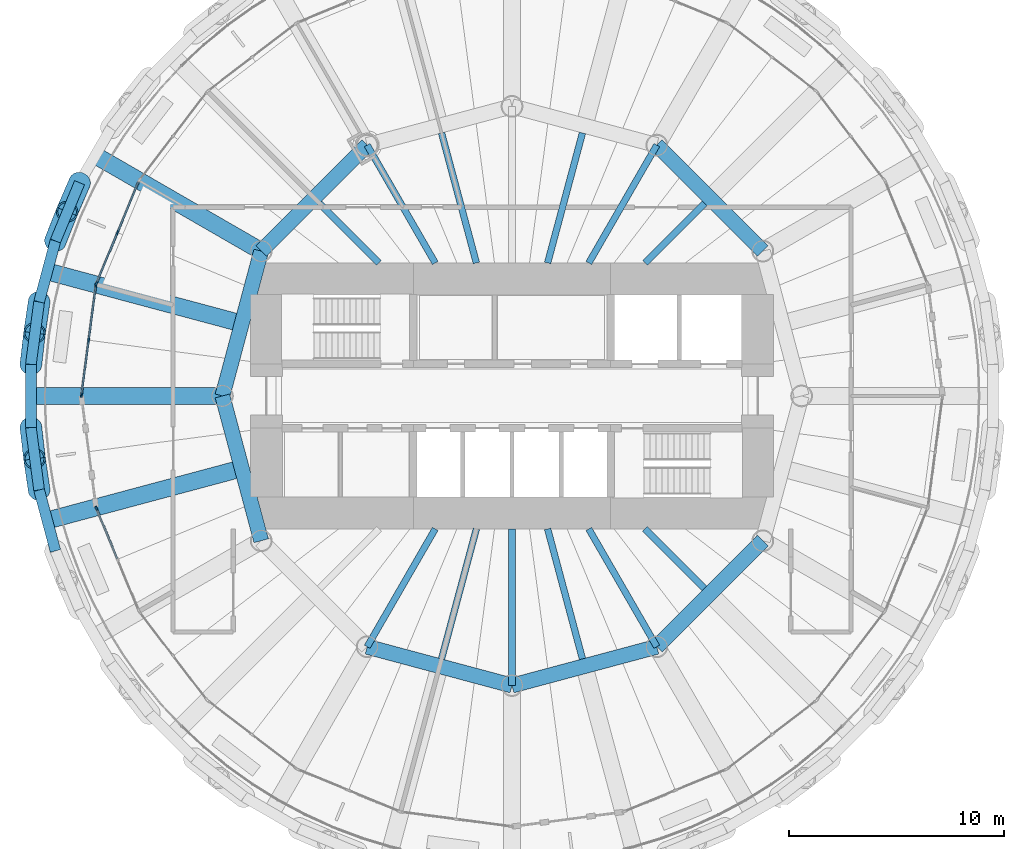
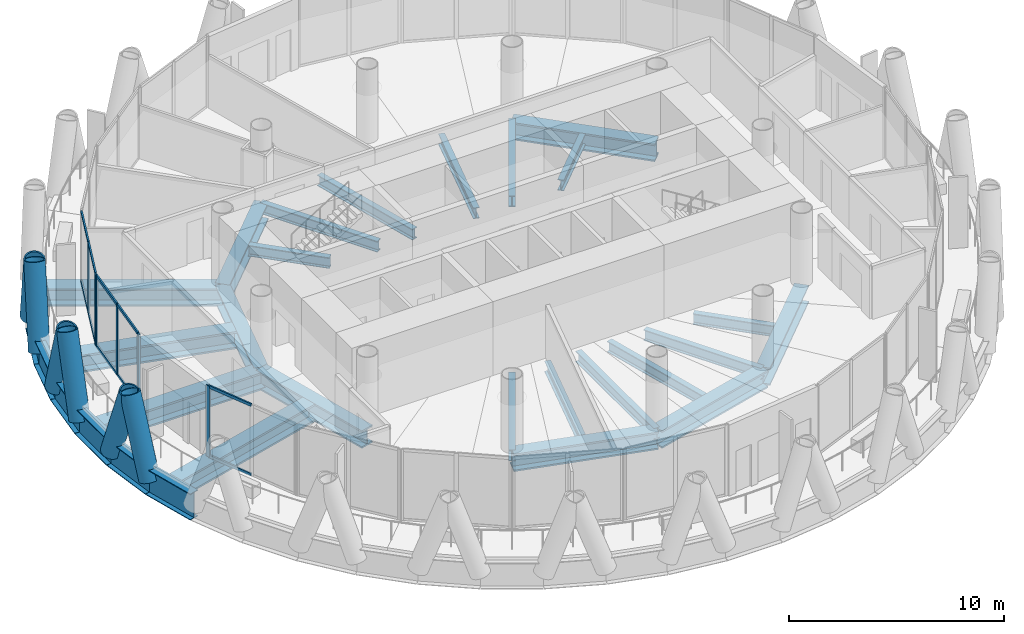
# One storey, part 3 of 15: 29 beams, 22 members, 3 elements without a shape of their own.
"""IFC4 building model written with IfcOpenShell, lengths in metres."""

from ifc_helpers import new_model, si_unit, direction, frame, origin, origin_2d, place, context, subcontext, project, spatial, rectangle, hollow_circle, i_section, extrude, material, material_profile, profile_set, type_object, element, aggregate, save


model = new_model("IFC4")

# Units and contexts
model_context = context("Model", 3, precision=1e-05, world=origin(), true_north=direction((0.0, 1.0)))
body_context = subcontext(model_context, "Body", "Model", "MODEL_VIEW")
ifc_project = project(units=[si_unit("LENGTHUNIT", "METRE"), si_unit("AREAUNIT", "SQUARE_METRE"), si_unit("VOLUMEUNIT", "CUBIC_METRE"), si_unit("PLANEANGLEUNIT", "RADIAN"), si_unit("MASSUNIT", "GRAM", prefix="KILO")], contexts=[model_context])

# Site, building, storey
site_placement = place(None, origin())
site = spatial("IfcSite", under=ifc_project, at=site_placement, CompositionType="ELEMENT")
building_placement = place(site_placement, origin())
building = spatial("IfcBuilding", under=site, at=building_placement, Name="Qaws Media Tower", CompositionType="ELEMENT")
storey_placement = place(building_placement, frame((0.0, 0.0, 231.800048828125)))
storey = spatial("IfcBuildingStorey", under=building, at=storey_placement, Name="L53", CompositionType="ELEMENT", Elevation=231.800048828125)

# Curtain wall, members
ifc_material_1 = material(Name="Aluminium and clear glass", Category="aluminium")
curtain_wall_type = type_object("IfcCurtainWallType", Name="Unitised curtain wall CW-C", PredefinedType="NOTDEFINED", material=ifc_material_1)
curtain_wall_1_placement = place(storey_placement, origin())
curtain_wall_1 = element("IfcCurtainWall", 1, at=curtain_wall_1_placement, inside=storey, type_object=curtain_wall_type, Name="CWC curtain wall L53-11", PredefinedType="NOTDEFINED")
ifc_material_2 = material(Name="Aluminium mullion", Category="aluminium")
ifc_material_profile_1 = material_profile(ifc_material_2, rectangle(XDim=0.080078125, YDim=0.199951171875, at=origin_2d()), Name="80x200")
ifc_profile_set_1 = profile_set([ifc_material_profile_1], Name="Aluminium mullion")
member_type_1 = type_object("IfcMemberType", Name="Curtain wall mullion 80x200", PredefinedType="MULLION", material=ifc_profile_set_1)
member_1_placement = place(storey_placement, frame((41.61181640625, 57.61669921875, 0.0), z_axis=(0.0, 0.0, 1.0), x_axis=(0.923879540513, -0.382683413048, 0.0)))
member_1 = element("IfcMember", 2, at=member_1_placement, type_object=member_type_1, Name="CWC mullion 2", PredefinedType="MULLION", context=body_context, shape_type="SweptSolid", body=[
    extrude(rectangle(XDim=0.080078125, YDim=0.199951171875, at=origin_2d()), origin(), (0.0, 0.0, 1.0), 4.0400390625),
])
member_2_placement = place(storey_placement, frame((40.624267578125, 55.232666015625, 0.0), z_axis=(0.0, 0.0, 1.0), x_axis=(0.923879540513, -0.382683413048, 0.0)))
member_2 = element("IfcMember", 3, at=member_2_placement, type_object=member_type_1, Name="CWC mullion 3", PredefinedType="MULLION", context=body_context, shape_type="SweptSolid", body=[
    extrude(rectangle(XDim=0.080078125, YDim=0.199951171875, at=origin_2d()), origin(), (0.0, 0.0, 1.0), 4.0400390625),
])

curtain_wall_2_placement = place(storey_placement, origin())
curtain_wall_2 = element("IfcCurtainWall", 4, at=curtain_wall_2_placement, inside=storey, type_object=curtain_wall_type, Name="CWC curtain wall L53-12", PredefinedType="NOTDEFINED")
member_3_placement = place(storey_placement, frame((40.603759765625, 55.15625, 0.0), z_axis=(0.0, 0.0, 1.0), x_axis=(0.991444861219, -0.130526193397, 0.0)))
member_3 = element("IfcMember", 5, at=member_3_placement, type_object=member_type_1, Name="CWC mullion 1", PredefinedType="MULLION", context=body_context, shape_type="SweptSolid", body=[
    extrude(rectangle(XDim=0.080078125, YDim=0.199951171875, at=origin_2d()), origin(), (0.0, 0.0, 1.0), 4.0400390625),
])
member_4_placement = place(storey_placement, frame((40.26708984375, 52.597900390625, 0.0), z_axis=(0.0, 0.0, 1.0), x_axis=(0.991444861219, -0.130526193397, 0.0)))
member_4 = element("IfcMember", 6, at=member_4_placement, type_object=member_type_1, Name="CWC mullion 2", PredefinedType="MULLION", context=body_context, shape_type="SweptSolid", body=[
    extrude(rectangle(XDim=0.080078125, YDim=0.199951171875, at=origin_2d()), origin(), (0.0, 0.0, 1.0), 4.0400390625),
])
member_5_placement = place(storey_placement, frame((39.93017578125, 50.03955078125, 0.0), z_axis=(0.0, 0.0, 1.0), x_axis=(0.991444861219, -0.130526193397, 0.0)))
member_5 = element("IfcMember", 7, at=member_5_placement, type_object=member_type_1, Name="CWC mullion 3", PredefinedType="MULLION", context=body_context, shape_type="SweptSolid", body=[
    extrude(rectangle(XDim=0.080078125, YDim=0.199951171875, at=origin_2d()), origin(), (0.0, 0.0, 1.0), 4.0400390625),
])

# Curtain wall, member
curtain_wall_3_placement = place(storey_placement, origin())
curtain_wall_3 = element("IfcCurtainWall", 8, at=curtain_wall_3_placement, inside=storey, type_object=curtain_wall_type, Name="CWC curtain wall L53-14", PredefinedType="NOTDEFINED")
member_6_placement = place(storey_placement, frame((40.624267578125, 44.767333984375, 0.0), z_axis=(0.0, 0.0, 1.0), x_axis=(0.923879540513, 0.382683413048, 0.0)))
member_6 = element("IfcMember", 9, at=member_6_placement, type_object=member_type_1, Name="CWC mullion 1", PredefinedType="MULLION", context=body_context, shape_type="SweptSolid", body=[
    extrude(rectangle(XDim=0.080078125, YDim=0.199951171875, at=origin_2d()), origin(), (0.0, 0.0, 1.0), 4.0400390625),
])

# Member
ifc_material_3 = material(Name="Aluminium transom", Category="aluminium")
ifc_material_profile_2 = material_profile(ifc_material_3, rectangle(XDim=0.080078125, YDim=0.159912109375, at=origin_2d()), Name="80x160")
ifc_profile_set_2 = profile_set([ifc_material_profile_2], Name="Aluminium transom")
member_type_2 = type_object("IfcMemberType", Name="Curtain wall transom 80x160", PredefinedType="USERDEFINED", material=ifc_profile_set_2)
member_7_placement = place(storey_placement, frame((42.583984375, 59.963623046875, 0.0400390625), z_axis=(-0.382659368921, -0.923889499549, 0.0), x_axis=(0.923889499549, -0.382659368921, 0.0)))
member_7 = element("IfcMember", 10, at=member_7_placement, type_object=member_type_2, Name="CWC transom 1.1", ObjectType="TRANSOM", PredefinedType="USERDEFINED", context=body_context, shape_type="SweptSolid", body=[
    extrude(rectangle(XDim=0.080078125, YDim=0.159912109375, at=origin_2d()), origin(), (0.0, 0.0, 1.0), 2.500244140625),
])

member_8_placement = place(storey_placement, frame((42.583984375, 59.963623046875, 4.0), z_axis=(-0.382659368921, -0.923889499549, 0.0), x_axis=(0.923889499549, -0.382659368921, 0.0)))
member_8 = element("IfcMember", 11, at=member_8_placement, type_object=member_type_2, Name="CWC transom 1.2", ObjectType="TRANSOM", PredefinedType="USERDEFINED", context=body_context, shape_type="SweptSolid", body=[
    extrude(rectangle(XDim=0.080078125, YDim=0.159912109375, at=origin_2d()), origin(), (0.0, 0.0, 1.0), 2.500244140625),
])

member_9_placement = place(storey_placement, frame((41.596435546875, 57.57958984375, 0.0400390625), z_axis=(-0.382693891664, -0.923875200059, 0.0), x_axis=(0.923875200059, -0.382693891664, 0.0)))
member_9 = element("IfcMember", 12, at=member_9_placement, type_object=member_type_2, Name="CWC transom 2.1", ObjectType="TRANSOM", PredefinedType="USERDEFINED", context=body_context, shape_type="SweptSolid", body=[
    extrude(rectangle(XDim=0.080078125, YDim=0.159912109375, at=origin_2d()), origin(), (0.0, 0.0, 1.0), 2.500244140625),
])

member_10_placement = place(storey_placement, frame((41.596435546875, 57.57958984375, 4.0), z_axis=(-0.382693891664, -0.923875200059, 0.0), x_axis=(0.923875200059, -0.382693891664, 0.0)))
member_10 = element("IfcMember", 13, at=member_10_placement, type_object=member_type_2, Name="CWC transom 2.2", ObjectType="TRANSOM", PredefinedType="USERDEFINED", context=body_context, shape_type="SweptSolid", body=[
    extrude(rectangle(XDim=0.080078125, YDim=0.159912109375, at=origin_2d()), origin(), (0.0, 0.0, 1.0), 2.500244140625),
])

aggregate(curtain_wall_1, [member_1, member_2, member_7, member_8, member_9, member_10])

member_11_placement = place(storey_placement, frame((40.5986328125, 55.116455078125, 0.0400390625), z_axis=(-0.130545439386, -0.991442327246, 0.0), x_axis=(0.991442327246, -0.130545439386, 0.0)))
member_11 = element("IfcMember", 14, at=member_11_placement, type_object=member_type_2, Name="CWC transom 1.1", ObjectType="TRANSOM", PredefinedType="USERDEFINED", context=body_context, shape_type="SweptSolid", body=[
    extrude(rectangle(XDim=0.080078125, YDim=0.159912109375, at=origin_2d()), origin(), (0.0, 0.0, 1.0), 2.50048828125),
])

member_12_placement = place(storey_placement, frame((40.5986328125, 55.116455078125, 4.0), z_axis=(-0.130545439386, -0.991442327246, 0.0), x_axis=(0.991442327246, -0.130545439386, 0.0)))
member_12 = element("IfcMember", 15, at=member_12_placement, type_object=member_type_2, Name="CWC transom 1.2", ObjectType="TRANSOM", PredefinedType="USERDEFINED", context=body_context, shape_type="SweptSolid", body=[
    extrude(rectangle(XDim=0.080078125, YDim=0.159912109375, at=origin_2d()), origin(), (0.0, 0.0, 1.0), 2.50048828125),
])

member_13_placement = place(storey_placement, frame((40.26171875, 52.558349609375, 0.0400390625), z_axis=(-0.130449460985, -0.991454960212, 0.0), x_axis=(0.991454960212, -0.130449460985, 0.0)))
member_13 = element("IfcMember", 16, at=member_13_placement, type_object=member_type_2, Name="CWC transom 2.1", ObjectType="TRANSOM", PredefinedType="USERDEFINED", context=body_context, shape_type="SweptSolid", body=[
    extrude(rectangle(XDim=0.080078125, YDim=0.159912109375, at=origin_2d()), origin(), (0.0, 0.0, 1.0), 2.50048828125),
])

member_14_placement = place(storey_placement, frame((40.26171875, 52.558349609375, 4.0), z_axis=(-0.130449460985, -0.991454960212, 0.0), x_axis=(0.991454960212, -0.130449460985, 0.0)))
member_14 = element("IfcMember", 17, at=member_14_placement, type_object=member_type_2, Name="CWC transom 2.2", ObjectType="TRANSOM", PredefinedType="USERDEFINED", context=body_context, shape_type="SweptSolid", body=[
    extrude(rectangle(XDim=0.080078125, YDim=0.159912109375, at=origin_2d()), origin(), (0.0, 0.0, 1.0), 2.50048828125),
])

aggregate(curtain_wall_2, [member_3, member_4, member_5, member_11, member_12, member_13, member_14])

member_15_placement = place(storey_placement, frame((40.6396484375, 44.730224609375, 0.0400390625), z_axis=(0.382693891664, -0.923875200059, 0.0), x_axis=(0.923875200059, 0.382693891664, 0.0)))
member_15 = element("IfcMember", 18, at=member_15_placement, type_object=member_type_2, Name="CWC transom 1.1", ObjectType="TRANSOM", PredefinedType="USERDEFINED", context=body_context, shape_type="SweptSolid", body=[
    extrude(rectangle(XDim=0.080078125, YDim=0.159912109375, at=origin_2d()), origin(), (0.0, 0.0, 1.0), 2.500244140625),
])

member_16_placement = place(storey_placement, frame((40.6396484375, 44.730224609375, 4.0), z_axis=(0.382693891664, -0.923875200059, 0.0), x_axis=(0.923875200059, 0.382693891664, 0.0)))
member_16 = element("IfcMember", 19, at=member_16_placement, type_object=member_type_2, Name="CWC transom 1.2", ObjectType="TRANSOM", PredefinedType="USERDEFINED", context=body_context, shape_type="SweptSolid", body=[
    extrude(rectangle(XDim=0.080078125, YDim=0.159912109375, at=origin_2d()), origin(), (0.0, 0.0, 1.0), 2.500244140625),
])

aggregate(curtain_wall_3, [member_6, member_15, member_16])

# Members
ifc_material_4 = material(Name="Steel S460", Category="steel")
ifc_material_profile_3 = material_profile(ifc_material_4, hollow_circle(Radius=0.508056640625, WallThickness=0.070068359375, at=origin_2d()), Name="CHS 1016x70")
ifc_profile_set_3 = profile_set([ifc_material_profile_3], Name="Steel S460")
member_type_3 = type_object("IfcMemberType", Name="Diagrid member CHS 1016x70", PredefinedType="USERDEFINED", material=ifc_profile_set_3)
for number, where, z_axis, x_axis, name in (
    (20, (39.8427734375, 59.9404296875, -0.91015625), (-0.131231429431, -0.303170936051, 0.943856819366), (0.917713080765, -0.397243881504, 0.0), "DG3 diagrid L53 A11"),
    (21, (37.956787109375, 54.384765625, -0.91015625), (-0.048278982492, -0.326815793982, 0.943854107717), (0.989264009043, -0.146139386933, 0.0), "DG3 diagrid L53 A12"),
    (22, (38.7177734375, 57.224365234375, -0.91015625), (0.121575400819, 0.307175392233, 0.943855232714), (-0.929822004047, 0.368009566167, 0.0), "DG3 diagrid L53 B12"),
    (23, (37.5732421875, 48.530029296875, -0.91015625), (0.037909884979, -0.328186587472, 0.943851897505), (0.993394382127, 0.114750170186, 0.0), "DG3 diagrid L53 A13"),
    (24, (37.5732421875, 51.469970703125, -0.91015625), (0.037909884979, 0.328186587472, 0.943851897505), (-0.993394382127, 0.114750170186, 0.0), "DG3 diagrid L53 B13"),
    (25, (37.956787109375, 45.615234375, -0.91015625), (-0.048278982492, 0.326815793982, 0.943854107717), (-0.989264009043, -0.146139386933, 0.0), "DG3 diagrid L53 B14"),
):
    element("IfcMember", number, at=place(storey_placement, frame(where, z_axis=z_axis, x_axis=x_axis)), inside=storey, type_object=member_type_3, Name=name, ObjectType="DIAGRID", PredefinedType="USERDEFINED", context=body_context, shape_type="SweptSolid", body=[
        extrude(hollow_circle(Radius=0.508056640625, WallThickness=0.070068359375, at=origin_2d()), origin(), (0.0, 0.0, 1.0), 4.449951171875),
    ])

# Beams
ifc_material_5 = material(Name="Steel S460", Category="steel")
ifc_material_profile_4 = material_profile(ifc_material_5, i_section(OverallWidth=0.5, OverallDepth=1.5, WebThickness=0.02001953125, FlangeThickness=0.0400390625, at=origin_2d()), Name="PG 1500x500")
ifc_profile_set_4 = profile_set([ifc_material_profile_4], Name="Steel S460")
beam_type_1 = type_object("IfcBeamType", Name="Edge ring beam PG 1500x500", PredefinedType="BEAM", material=ifc_profile_set_4)
beam_1_placement = place(storey_placement, frame((39.8427734375, 59.9404296875, -0.91015625), z_axis=(-0.38267450938, -0.923883228482, 0.0), x_axis=(0.923883228482, -0.38267450938, 0.0)))
element("IfcBeam", 26, at=beam_1_placement, inside=storey, type_object=beam_type_1, Name="RB4 edge ring beam L53-21", PredefinedType="BEAM", context=body_context, shape_type="SweptSolid", body=[
    extrude(i_section(OverallWidth=0.5, OverallDepth=1.5, WebThickness=0.02001953125, FlangeThickness=0.0400390625, at=origin_2d()), origin(), (0.0, 0.0, 1.0), 2.93994140625),
])
beam_2_placement = place(storey_placement, frame((38.7177734375, 57.224365234375, -0.91015625), z_axis=(-0.258856465056, -0.965915798866, 0.0), x_axis=(0.965915798866, -0.258856465056, 0.0)))
element("IfcBeam", 27, at=beam_2_placement, inside=storey, type_object=beam_type_1, Name="RB4 edge ring beam L53-22", PredefinedType="BEAM", context=body_context, shape_type="SweptSolid", body=[
    extrude(i_section(OverallWidth=0.5, OverallDepth=1.5, WebThickness=0.02001953125, FlangeThickness=0.0400390625, at=origin_2d()), origin(), (0.0, 0.0, 1.0), 2.939697265625),
])
for number, where, z_axis, x_axis, name in (
    (28, (37.956787109375, 54.384765625, -0.91015625), (-0.130460957042, -0.991453447565, 0.0), (0.991453447565, -0.130460957042, 0.0), "RB4 edge ring beam L53-23"),
    (29, (37.5732421875, 51.469970703125, -0.91015625), (0.0, -1.0, 0.0), (1.0, 0.0, 0.0), "RB4 edge ring beam L53-24"),
    (30, (37.5732421875, 48.530029296875, -0.91015625), (0.130460957042, -0.991453447565, 0.0), (0.991453447565, 0.130460957042, 0.0), "RB4 edge ring beam L53-25"),
):
    element("IfcBeam", number, at=place(storey_placement, frame(where, z_axis=z_axis, x_axis=x_axis)), inside=storey, type_object=beam_type_1, Name=name, PredefinedType="BEAM", context=body_context, shape_type="SweptSolid", body=[
        extrude(i_section(OverallWidth=0.5, OverallDepth=1.5, WebThickness=0.02001953125, FlangeThickness=0.0400390625, at=origin_2d()), origin(), (0.0, 0.0, 1.0), 2.93994140625),
    ])
beam_3_placement = place(storey_placement, frame((37.956787109375, 45.615234375, -0.91015625), z_axis=(0.258856465056, -0.965915798866, 0.0), x_axis=(0.965915798866, 0.258856465056, 0.0)))
element("IfcBeam", 31, at=beam_3_placement, inside=storey, type_object=beam_type_1, Name="RB4 edge ring beam L53-26", PredefinedType="BEAM", context=body_context, shape_type="SweptSolid", body=[
    extrude(i_section(OverallWidth=0.5, OverallDepth=1.5, WebThickness=0.02001953125, FlangeThickness=0.0400390625, at=origin_2d()), origin(), (0.0, 0.0, 1.0), 2.939697265625),
])
ifc_material_6 = material(Name="Steel S460", Category="steel")
ifc_material_profile_5 = material_profile(ifc_material_6, i_section(OverallWidth=0.699951171875, OverallDepth=1.0, WebThickness=0.034912109375, FlangeThickness=0.090087890625, at=origin_2d()), Name="PG 1000x700")
ifc_profile_set_5 = profile_set([ifc_material_profile_5], Name="Steel S460")
beam_type_2 = type_object("IfcBeamType", Name="Inner ring girder PG 1000x700", PredefinedType="BEAM", material=ifc_profile_set_5)
for number, where, z_axis, x_axis, name in (
    (32, (71.69140625, 56.75, -0.66015625), (-0.707106781187, 0.707106781187, 0.0), (-0.707106781187, -0.707106781187, 0.0), "B3 inner ring beam L53 I02-I03"),
    (33, (53.25, 61.69140625, -0.66015625), (-0.707106781187, -0.707106781187, 0.0), (0.707106781187, -0.707106781187, 0.0), "B3 inner ring beam L53 I05-I06"),
):
    element("IfcBeam", number, at=place(storey_placement, frame(where, z_axis=z_axis, x_axis=x_axis)), inside=storey, type_object=beam_type_2, Name=name, PredefinedType="BEAM", context=body_context, shape_type="SweptSolid", body=[
        extrude(i_section(OverallWidth=0.699951171875, OverallDepth=1.0, WebThickness=0.034912109375, FlangeThickness=0.090087890625, at=origin_2d()), origin(), (0.0, 0.0, 1.0), 6.98828125),
    ])
for number, where, z_axis, x_axis, name in (
    (34, (48.30859375, 56.75, -0.66015625), (-0.258810593767, -0.965928090778, 0.0), (0.965928090778, -0.258810593767, 0.0), "B3 inner ring beam L53 I06-I07"),
    (35, (46.5, 50.0, -0.66015625), (0.258810593767, -0.965928090778, 0.0), (0.965928090778, 0.258810593767, 0.0), "B3 inner ring beam L53 I07-I08"),
    (36, (53.25, 38.30859375, -0.66015625), (0.965928090778, -0.258810593767, 0.0), (0.258810593767, 0.965928090778, 0.0), "B3 inner ring beam L53 I09-I10"),
    (37, (60.0, 36.5, -0.66015625), (0.965928090778, 0.258810593767, 0.0), (-0.258810593767, 0.965928090778, 0.0), "B3 inner ring beam L53 I10-I11"),
):
    element("IfcBeam", number, at=place(storey_placement, frame(where, z_axis=z_axis, x_axis=x_axis)), inside=storey, type_object=beam_type_2, Name=name, PredefinedType="BEAM", context=body_context, shape_type="SweptSolid", body=[
        extrude(i_section(OverallWidth=0.699951171875, OverallDepth=1.0, WebThickness=0.034912109375, FlangeThickness=0.090087890625, at=origin_2d()), origin(), (0.0, 0.0, 1.0), 6.988037109375),
    ])
beam_4_placement = place(storey_placement, frame((66.75, 38.30859375, -0.66015625), z_axis=(0.707106781187, 0.707106781187, 0.0), x_axis=(-0.707106781187, 0.707106781187, 0.0)))
element("IfcBeam", 38, at=beam_4_placement, inside=storey, type_object=beam_type_2, Name="B3 inner ring beam L53 I11-I12", PredefinedType="BEAM", context=body_context, shape_type="SweptSolid", body=[
    extrude(i_section(OverallWidth=0.699951171875, OverallDepth=1.0, WebThickness=0.034912109375, FlangeThickness=0.090087890625, at=origin_2d()), origin(), (0.0, 0.0, 1.0), 6.98828125),
])
ifc_material_7 = material(Name="Steel S355", Category="steel")
ifc_material_profile_6 = material_profile(ifc_material_7, i_section(OverallWidth=0.304931640625, OverallDepth=0.6201171875, WebThickness=0.02099609375, FlangeThickness=0.0400390625, FilletRadius=0.027099609375, at=origin_2d()), Name="HE 600 M")
ifc_profile_set_6 = profile_set([ifc_material_profile_6], Name="Steel S355")
beam_type_3 = type_object("IfcBeamType", Name="Radial beam HE 600 M, core side", PredefinedType="BEAM", material=ifc_profile_set_6)
beam_5_placement = place(storey_placement, frame((66.199951171875, 56.199951171875, -0.469970703125), z_axis=(0.707106781187, 0.707106781187, 0.0), x_axis=(-0.707106781187, 0.707106781187, 0.0)))
element("IfcBeam", 39, at=beam_5_placement, inside=storey, type_object=beam_type_3, Name="B2 radial beam L53 04", PredefinedType="BEAM", context=body_context, shape_type="SweptSolid", body=[
    extrude(i_section(OverallWidth=0.304931640625, OverallDepth=0.6201171875, WebThickness=0.02099609375, FlangeThickness=0.0400390625, FilletRadius=0.027099609375, at=origin_2d()), origin(), (0.0, 0.0, 1.0), 3.921875),
])
beam_6_placement = place(storey_placement, frame((63.57958984375, 56.199951171875, -0.469970703125), z_axis=(0.499990193304, 0.866031065609, 0.0), x_axis=(-0.866031065609, 0.499990193304, 0.0)))
element("IfcBeam", 40, at=beam_6_placement, inside=storey, type_object=beam_type_3, Name="B2 radial beam L53 05", PredefinedType="BEAM", context=body_context, shape_type="SweptSolid", body=[
    extrude(i_section(OverallWidth=0.304931640625, OverallDepth=0.6201171875, WebThickness=0.02099609375, FlangeThickness=0.0400390625, FilletRadius=0.027099609375, at=origin_2d()), origin(), (0.0, 0.0, 1.0), 6.341064453125),
])
for number, where, z_axis, x_axis, name in (
    (41, (61.661376953125, 56.199951171875, -0.469970703125), (0.258806137559, 0.965929284763, 0.0), (-0.965929284763, 0.258806137559, 0.0), "B2 radial beam L53 06"),
    (42, (58.338623046875, 56.199951171875, -0.469970703125), (-0.258806137559, 0.965929284763, 0.0), (-0.965929284763, -0.258806137559, 0.0), "B2 radial beam L53 08"),
):
    element("IfcBeam", number, at=place(storey_placement, frame(where, z_axis=z_axis, x_axis=x_axis)), inside=storey, type_object=beam_type_3, Name=name, PredefinedType="BEAM", context=body_context, shape_type="SweptSolid", body=[
        extrude(i_section(OverallWidth=0.304931640625, OverallDepth=0.6201171875, WebThickness=0.02099609375, FlangeThickness=0.0400390625, FilletRadius=0.027099609375, at=origin_2d()), origin(), (0.0, 0.0, 1.0), 6.271240234375),
    ])
beam_7_placement = place(storey_placement, frame((56.42041015625, 56.199951171875, -0.469970703125), z_axis=(-0.499990193304, 0.866031065609, 0.0), x_axis=(-0.866031065609, -0.499990193304, 0.0)))
element("IfcBeam", 43, at=beam_7_placement, inside=storey, type_object=beam_type_3, Name="B2 radial beam L53 09", PredefinedType="BEAM", context=body_context, shape_type="SweptSolid", body=[
    extrude(i_section(OverallWidth=0.304931640625, OverallDepth=0.6201171875, WebThickness=0.02099609375, FlangeThickness=0.0400390625, FilletRadius=0.027099609375, at=origin_2d()), origin(), (0.0, 0.0, 1.0), 6.341064453125),
])
beam_8_placement = place(storey_placement, frame((53.800048828125, 56.199951171875, -0.469970703125), z_axis=(-0.707106781187, 0.707106781187, 0.0), x_axis=(-0.707106781187, -0.707106781187, 0.0)))
element("IfcBeam", 44, at=beam_8_placement, inside=storey, type_object=beam_type_3, Name="B2 radial beam L53 10", PredefinedType="BEAM", context=body_context, shape_type="SweptSolid", body=[
    extrude(i_section(OverallWidth=0.304931640625, OverallDepth=0.6201171875, WebThickness=0.02099609375, FlangeThickness=0.0400390625, FilletRadius=0.027099609375, at=origin_2d()), origin(), (0.0, 0.0, 1.0), 3.921875),
])
beam_9_placement = place(storey_placement, frame((56.42041015625, 43.800048828125, -0.469970703125), z_axis=(-0.499990193304, -0.866031065609, 0.0), x_axis=(0.866031065609, -0.499990193304, 0.0)))
element("IfcBeam", 45, at=beam_9_placement, inside=storey, type_object=beam_type_3, Name="B2 radial beam L53 17", PredefinedType="BEAM", context=body_context, shape_type="SweptSolid", body=[
    extrude(i_section(OverallWidth=0.304931640625, OverallDepth=0.6201171875, WebThickness=0.02099609375, FlangeThickness=0.0400390625, FilletRadius=0.027099609375, at=origin_2d()), origin(), (0.0, 0.0, 1.0), 6.341064453125),
])
beam_10_placement = place(storey_placement, frame((58.338623046875, 43.800048828125, -0.469970703125), z_axis=(-0.258806137559, -0.965929284763, 0.0), x_axis=(0.965929284763, -0.258806137559, 0.0)))
element("IfcBeam", 46, at=beam_10_placement, inside=storey, type_object=beam_type_3, Name="B2 radial beam L53 18", PredefinedType="BEAM", context=body_context, shape_type="SweptSolid", body=[
    extrude(i_section(OverallWidth=0.304931640625, OverallDepth=0.6201171875, WebThickness=0.02099609375, FlangeThickness=0.0400390625, FilletRadius=0.027099609375, at=origin_2d()), origin(), (0.0, 0.0, 1.0), 6.271240234375),
])
beam_11_placement = place(storey_placement, frame((60.0, 43.800048828125, -0.469970703125), z_axis=(0.0, -1.0, 0.0), x_axis=(1.0, 0.0, 0.0)))
element("IfcBeam", 47, at=beam_11_placement, inside=storey, type_object=beam_type_3, Name="B2 radial beam L53 19", PredefinedType="BEAM", context=body_context, shape_type="SweptSolid", body=[
    extrude(i_section(OverallWidth=0.304931640625, OverallDepth=0.6201171875, WebThickness=0.02099609375, FlangeThickness=0.0400390625, FilletRadius=0.027099609375, at=origin_2d()), origin(), (0.0, 0.0, 1.0), 7.300048828125),
])
beam_12_placement = place(storey_placement, frame((61.661376953125, 43.800048828125, -0.469970703125), z_axis=(0.258806137559, -0.965929284763, 0.0), x_axis=(0.965929284763, 0.258806137559, 0.0)))
element("IfcBeam", 48, at=beam_12_placement, inside=storey, type_object=beam_type_3, Name="B2 radial beam L53 20", PredefinedType="BEAM", context=body_context, shape_type="SweptSolid", body=[
    extrude(i_section(OverallWidth=0.304931640625, OverallDepth=0.6201171875, WebThickness=0.02099609375, FlangeThickness=0.0400390625, FilletRadius=0.027099609375, at=origin_2d()), origin(), (0.0, 0.0, 1.0), 6.271240234375),
])
beam_13_placement = place(storey_placement, frame((63.57958984375, 43.800048828125, -0.469970703125), z_axis=(0.499990193304, -0.866031065609, 0.0), x_axis=(0.866031065609, 0.499990193304, 0.0)))
element("IfcBeam", 49, at=beam_13_placement, inside=storey, type_object=beam_type_3, Name="B2 radial beam L53 21", PredefinedType="BEAM", context=body_context, shape_type="SweptSolid", body=[
    extrude(i_section(OverallWidth=0.304931640625, OverallDepth=0.6201171875, WebThickness=0.02099609375, FlangeThickness=0.0400390625, FilletRadius=0.027099609375, at=origin_2d()), origin(), (0.0, 0.0, 1.0), 6.341064453125),
])
beam_14_placement = place(storey_placement, frame((66.199951171875, 43.800048828125, -0.469970703125), z_axis=(0.707106781187, -0.707106781187, 0.0), x_axis=(0.707106781187, 0.707106781187, 0.0)))
element("IfcBeam", 50, at=beam_14_placement, inside=storey, type_object=beam_type_3, Name="B2 radial beam L53 22", PredefinedType="BEAM", context=body_context, shape_type="SweptSolid", body=[
    extrude(i_section(OverallWidth=0.304931640625, OverallDepth=0.6201171875, WebThickness=0.02099609375, FlangeThickness=0.0400390625, FilletRadius=0.027099609375, at=origin_2d()), origin(), (0.0, 0.0, 1.0), 3.921875),
])
ifc_material_8 = material(Name="Steel S460", Category="steel")
ifc_material_profile_7 = material_profile(ifc_material_8, i_section(OverallWidth=0.800048828125, OverallDepth=1.0, WebThickness=0.0400390625, FlangeThickness=0.10009765625, at=origin_2d()), Name="PG 1000x800")
ifc_profile_set_7 = profile_set([ifc_material_profile_7], Name="Steel S460")
beam_type_4 = type_object("IfcBeamType", Name="Radial girder PG 1000x800", PredefinedType="BEAM", material=ifc_profile_set_7)
beam_15_placement = place(storey_placement, frame((48.30859375, 56.75, -0.66015625), z_axis=(-0.866029828363, 0.499992336327, 0.0), x_axis=(-0.499992336327, -0.866029828363, 0.0)))
element("IfcBeam", 51, at=beam_15_placement, inside=storey, type_object=beam_type_4, Name="B1 radial beam L53 11", PredefinedType="BEAM", context=body_context, shape_type="SweptSolid", body=[
    extrude(i_section(OverallWidth=0.800048828125, OverallDepth=1.0, WebThickness=0.0400390625, FlangeThickness=0.10009765625, at=origin_2d()), origin(), (0.0, 0.0, 1.0), 8.927001953125),
])
beam_16_placement = place(storey_placement, frame((47.066162109375, 53.465576171875, -0.66015625), z_axis=(-0.965925741707, 0.258819360768, 0.0), x_axis=(-0.258819360768, -0.965925741707, 0.0)))
element("IfcBeam", 52, at=beam_16_placement, inside=storey, type_object=beam_type_4, Name="B1 radial beam L53 12", PredefinedType="BEAM", context=body_context, shape_type="SweptSolid", body=[
    extrude(i_section(OverallWidth=0.800048828125, OverallDepth=1.0, WebThickness=0.0400390625, FlangeThickness=0.10009765625, at=origin_2d()), origin(), (0.0, 0.0, 1.0), 9.03662109375),
])
beam_17_placement = place(storey_placement, frame((46.5, 50.0, -0.66015625), z_axis=(-1.0, 0.0, 0.0), x_axis=(0.0, -1.0, 0.0)))
element("IfcBeam", 53, at=beam_17_placement, inside=storey, type_object=beam_type_4, Name="B1 radial beam L53 13", PredefinedType="BEAM", context=body_context, shape_type="SweptSolid", body=[
    extrude(i_section(OverallWidth=0.800048828125, OverallDepth=1.0, WebThickness=0.0400390625, FlangeThickness=0.10009765625, at=origin_2d()), origin(), (0.0, 0.0, 1.0), 8.9267578125),
])
beam_18_placement = place(storey_placement, frame((47.066162109375, 46.534423828125, -0.66015625), z_axis=(-0.965925741707, -0.258819360768, 0.0), x_axis=(0.258819360768, -0.965925741707, 0.0)))
element("IfcBeam", 54, at=beam_18_placement, inside=storey, type_object=beam_type_4, Name="B1 radial beam L53 14", PredefinedType="BEAM", context=body_context, shape_type="SweptSolid", body=[
    extrude(i_section(OverallWidth=0.800048828125, OverallDepth=1.0, WebThickness=0.0400390625, FlangeThickness=0.10009765625, at=origin_2d()), origin(), (0.0, 0.0, 1.0), 9.03662109375),
])

save(model, "model.ifc")
